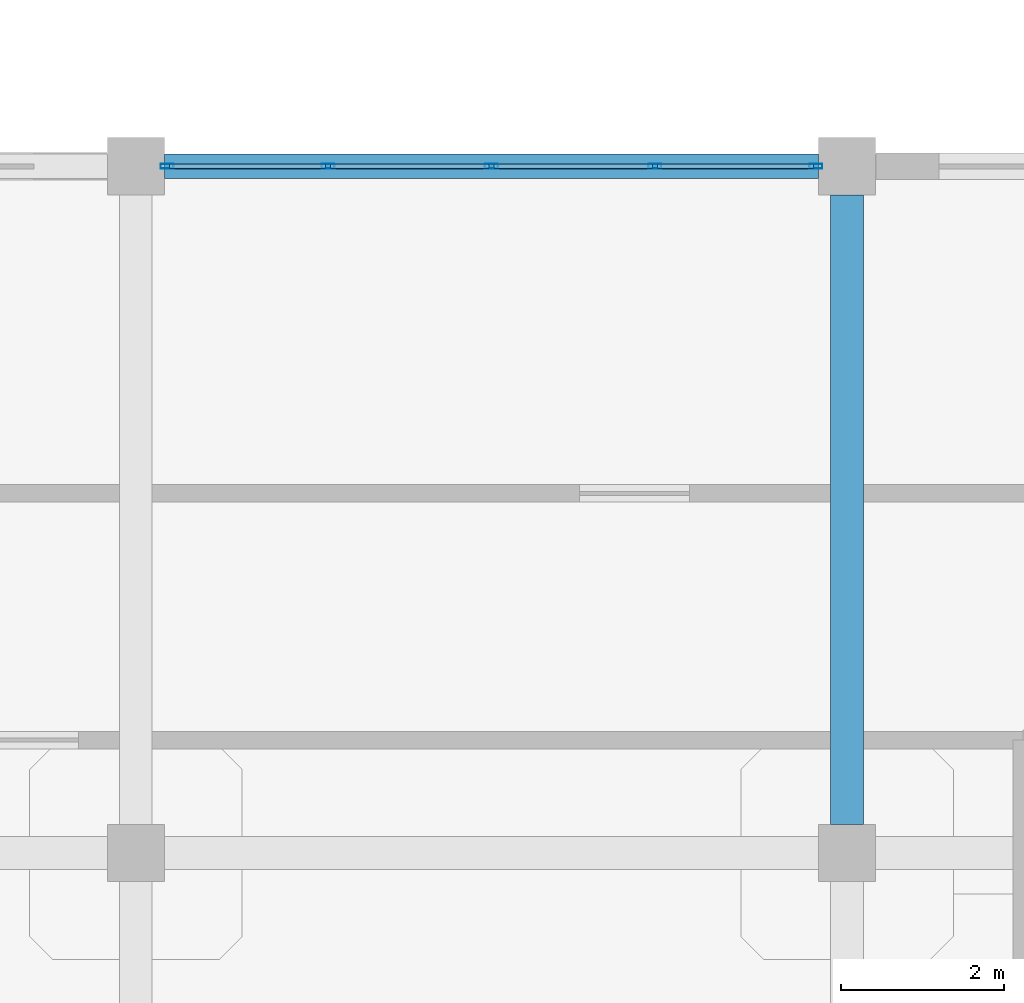
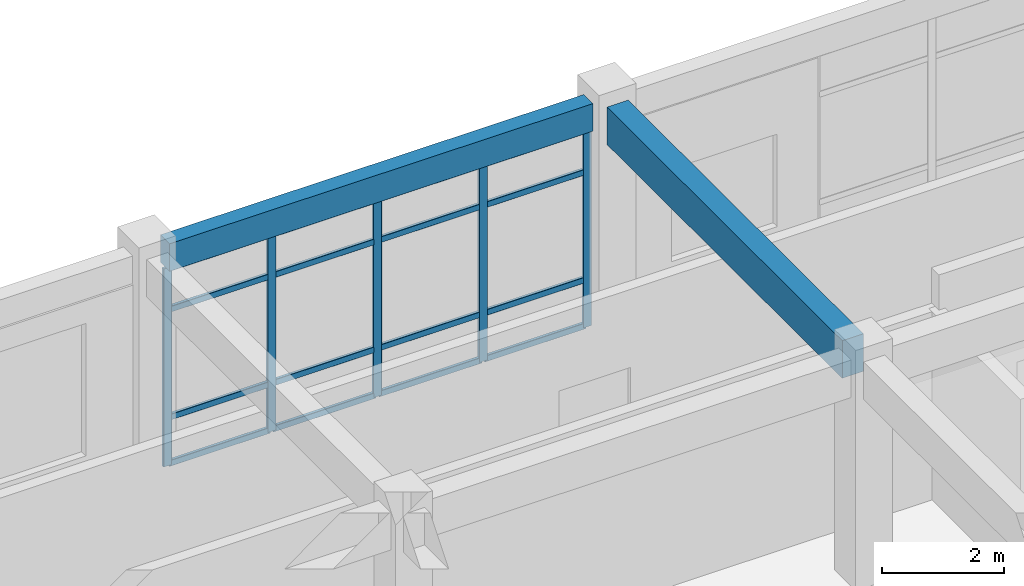
# One storey, part 10 of 76: 21 members, 2 beams, 1 element without a shape of its own.
"""IFC4 building model written with IfcOpenShell, lengths in metres."""

from ifc_helpers import new_model, si_unit, derived_unit, direction, frame, origin, origin_2d, place, context, subcontext, project, spatial, rectangle, hollow_rectangle, extrude, material, layer, layer_set, material_profile, profile_set, type_object, element, aggregate, save


model = new_model("IFC4")

# Units and contexts
model_context = context("Model", 3, precision=1e-05, world=origin(), true_north=direction((0.0, 1.0)))
body_context = subcontext(model_context, "Body", "Model", "MODEL_VIEW")
ifc_project = project(units=[si_unit("LENGTHUNIT", "METRE"), si_unit("AREAUNIT", "SQUARE_METRE"), si_unit("VOLUMEUNIT", "CUBIC_METRE"), si_unit("PLANEANGLEUNIT", "RADIAN"), si_unit("MASSUNIT", "GRAM", prefix="KILO"), derived_unit("THERMALTRANSMITTANCEUNIT", [(si_unit("MASSUNIT", "GRAM", prefix="KILO"), 1), (si_unit("TIMEUNIT", "SECOND"), -3), (si_unit("THERMODYNAMICTEMPERATUREUNIT", "KELVIN"), -1)])], contexts=[model_context])

# Site, building, storey
site_placement = place(None, origin())
site = spatial("IfcSite", under=ifc_project, at=site_placement, CompositionType="ELEMENT")
building_placement = place(site_placement, origin())
building = spatial("IfcBuilding", under=site, at=building_placement, Name="Qinzheling Arcade Emporium", CompositionType="ELEMENT")
storey_placement = place(building_placement, frame((0.0, 0.0, 26.699951171875)))
storey = spatial("IfcBuildingStorey", under=building, at=storey_placement, Name="L06", CompositionType="ELEMENT", Elevation=26.699951171875)

# Curtain wall, members
ifc_material_1 = material(Name="Anodised aluminium and solar-control double glazing", Category="aluminium")
ifc_layer = layer(ifc_material_1, 0.159912109375, Name="Anodised aluminium and solar-control double glazing", Category="aluminium")
ifc_layer_set = layer_set([ifc_layer], Name="Anodised aluminium and solar-control double glazing")
curtain_wall_type = type_object("IfcCurtainWallType", Name="Atrium Clerestory Curtain Wall", PredefinedType="NOTDEFINED", material=ifc_layer_set)
curtain_wall_placement = place(storey_placement, origin())
curtain_wall = element("IfcCurtainWall", 1, at=curtain_wall_placement, inside=storey, type_object=curtain_wall_type, Name="Curtain Wall CW-L06-361", PredefinedType="NOTDEFINED")
ifc_material_2 = material(Name="Anodised aluminium 6063-T6", Category="aluminium")
ifc_material_profile_1 = material_profile(ifc_material_2, hollow_rectangle(XDim=0.06005859375, YDim=0.159912109375, WallThickness=0.00390625, InnerFilletRadius=0.00390625, OuterFilletRadius=0.008056640625, at=origin_2d()), Name="RHS 160x60x4", Category="aluminium")
ifc_profile_set_1 = profile_set([ifc_material_profile_1], Name="Anodised aluminium 6063-T6")
member_type_1 = type_object("IfcMemberType", Name="Curtain Wall Mullion RHS160x60", PredefinedType="MULLION", material=ifc_profile_set_1)
member_1_placement = place(storey_placement, frame((17.781982421875, 42.0, 0.0), z_axis=(0.0, 0.0, 1.0), x_axis=(0.0, 1.0, 0.0)))
member_1 = element("IfcMember", 2, at=member_1_placement, type_object=member_type_1, Name="CW03 mullion 1", PredefinedType="MULLION", context=body_context, shape_type="SweptSolid", body=[
    extrude(hollow_rectangle(XDim=0.06005859375, YDim=0.159912109375, WallThickness=0.00390625, InnerFilletRadius=0.00390625, OuterFilletRadius=0.008056640625, at=origin_2d()), origin(), (0.0, 0.0, 1.0), 3.955078125),
])
member_2_placement = place(storey_placement, frame((19.7509765625, 42.0, 0.0), z_axis=(0.0, 0.0, 1.0), x_axis=(0.0, 1.0, 0.0)))
member_2 = element("IfcMember", 3, at=member_2_placement, type_object=member_type_1, Name="CW03 mullion 2", PredefinedType="MULLION", context=body_context, shape_type="SweptSolid", body=[
    extrude(hollow_rectangle(XDim=0.06005859375, YDim=0.159912109375, WallThickness=0.00390625, InnerFilletRadius=0.00390625, OuterFilletRadius=0.008056640625, at=origin_2d()), origin(), (0.0, 0.0, 1.0), 3.955078125),
])
member_3_placement = place(storey_placement, frame((21.75, 42.0, 0.0), z_axis=(0.0, 0.0, 1.0), x_axis=(0.0, 1.0, 0.0)))
member_3 = element("IfcMember", 4, at=member_3_placement, type_object=member_type_1, Name="CW03 mullion 3", PredefinedType="MULLION", context=body_context, shape_type="SweptSolid", body=[
    extrude(hollow_rectangle(XDim=0.06005859375, YDim=0.159912109375, WallThickness=0.00390625, InnerFilletRadius=0.00390625, OuterFilletRadius=0.008056640625, at=origin_2d()), origin(), (0.0, 0.0, 1.0), 3.955078125),
])
member_4_placement = place(storey_placement, frame((23.7490234375, 42.0, 0.0), z_axis=(0.0, 0.0, 1.0), x_axis=(0.0, 1.0, 0.0)))
member_4 = element("IfcMember", 5, at=member_4_placement, type_object=member_type_1, Name="CW03 mullion 4", PredefinedType="MULLION", context=body_context, shape_type="SweptSolid", body=[
    extrude(hollow_rectangle(XDim=0.06005859375, YDim=0.159912109375, WallThickness=0.00390625, InnerFilletRadius=0.00390625, OuterFilletRadius=0.008056640625, at=origin_2d()), origin(), (0.0, 0.0, 1.0), 3.955078125),
])
member_5_placement = place(storey_placement, frame((25.718017578125, 42.0, 0.0), z_axis=(0.0, 0.0, 1.0), x_axis=(0.0, 1.0, 0.0)))
member_5 = element("IfcMember", 6, at=member_5_placement, type_object=member_type_1, Name="CW03 mullion 5", PredefinedType="MULLION", context=body_context, shape_type="SweptSolid", body=[
    extrude(hollow_rectangle(XDim=0.06005859375, YDim=0.159912109375, WallThickness=0.00390625, InnerFilletRadius=0.00390625, OuterFilletRadius=0.008056640625, at=origin_2d()), origin(), (0.0, 0.0, 1.0), 3.955078125),
])
ifc_material_profile_2 = material_profile(ifc_material_2, hollow_rectangle(XDim=0.06005859375, YDim=0.1201171875, WallThickness=0.00390625, InnerFilletRadius=0.00390625, OuterFilletRadius=0.008056640625, at=origin_2d()), Name="RHS 120x60x4", Category="aluminium")
ifc_profile_set_2 = profile_set([ifc_material_profile_2], Name="Anodised aluminium 6063-T6")
member_type_2 = type_object("IfcMemberType", Name="Curtain Wall Transom RHS120x60", PredefinedType="USERDEFINED", material=ifc_profile_set_2)
member_6_placement = place(storey_placement, frame((17.81201171875, 42.0, 0.030029296875), z_axis=(1.0, 0.0, 0.0), x_axis=(0.0, 1.0, 0.0)))
member_6 = element("IfcMember", 7, at=member_6_placement, type_object=member_type_2, Name="CW03 transom 1.1", ObjectType="TRANSOM", PredefinedType="USERDEFINED", context=body_context, shape_type="SweptSolid", body=[
    extrude(hollow_rectangle(XDim=0.06005859375, YDim=0.1201171875, WallThickness=0.00390625, InnerFilletRadius=0.00390625, OuterFilletRadius=0.008056640625, at=origin_2d()), origin(), (0.0, 0.0, 1.0), 1.908935546875),
])
member_7_placement = place(storey_placement, frame((17.81201171875, 42.0, 0.949951171875), z_axis=(1.0, 0.0, 0.0), x_axis=(0.0, 1.0, 0.0)))
member_7 = element("IfcMember", 8, at=member_7_placement, type_object=member_type_2, Name="CW03 transom 1.2", ObjectType="TRANSOM", PredefinedType="USERDEFINED", context=body_context, shape_type="SweptSolid", body=[
    extrude(hollow_rectangle(XDim=0.06005859375, YDim=0.1201171875, WallThickness=0.00390625, InnerFilletRadius=0.00390625, OuterFilletRadius=0.008056640625, at=origin_2d()), origin(), (0.0, 0.0, 1.0), 1.908935546875),
])
member_8_placement = place(storey_placement, frame((17.81201171875, 42.0, 3.10498046875), z_axis=(1.0, 0.0, 0.0), x_axis=(0.0, 1.0, 0.0)))
member_8 = element("IfcMember", 9, at=member_8_placement, type_object=member_type_2, Name="CW03 transom 1.3", ObjectType="TRANSOM", PredefinedType="USERDEFINED", context=body_context, shape_type="SweptSolid", body=[
    extrude(hollow_rectangle(XDim=0.06005859375, YDim=0.1201171875, WallThickness=0.00390625, InnerFilletRadius=0.00390625, OuterFilletRadius=0.008056640625, at=origin_2d()), origin(), (0.0, 0.0, 1.0), 1.908935546875),
])
member_9_placement = place(storey_placement, frame((17.81201171875, 42.0, 3.925048828125), z_axis=(1.0, 0.0, 0.0), x_axis=(0.0, 1.0, 0.0)))
member_9 = element("IfcMember", 10, at=member_9_placement, type_object=member_type_2, Name="CW03 transom 1.4", ObjectType="TRANSOM", PredefinedType="USERDEFINED", context=body_context, shape_type="SweptSolid", body=[
    extrude(hollow_rectangle(XDim=0.06005859375, YDim=0.1201171875, WallThickness=0.00390625, InnerFilletRadius=0.00390625, OuterFilletRadius=0.008056640625, at=origin_2d()), origin(), (0.0, 0.0, 1.0), 1.908935546875),
])
member_10_placement = place(storey_placement, frame((19.781005859375, 42.0, 0.030029296875), z_axis=(1.0, 0.0, 0.0), x_axis=(0.0, 1.0, 0.0)))
member_10 = element("IfcMember", 11, at=member_10_placement, type_object=member_type_2, Name="CW03 transom 2.1", ObjectType="TRANSOM", PredefinedType="USERDEFINED", context=body_context, shape_type="SweptSolid", body=[
    extrude(hollow_rectangle(XDim=0.06005859375, YDim=0.1201171875, WallThickness=0.00390625, InnerFilletRadius=0.00390625, OuterFilletRadius=0.008056640625, at=origin_2d()), origin(), (0.0, 0.0, 1.0), 1.93896484375),
])
member_11_placement = place(storey_placement, frame((19.781005859375, 42.0, 0.949951171875), z_axis=(1.0, 0.0, 0.0), x_axis=(0.0, 1.0, 0.0)))
member_11 = element("IfcMember", 12, at=member_11_placement, type_object=member_type_2, Name="CW03 transom 2.2", ObjectType="TRANSOM", PredefinedType="USERDEFINED", context=body_context, shape_type="SweptSolid", body=[
    extrude(hollow_rectangle(XDim=0.06005859375, YDim=0.1201171875, WallThickness=0.00390625, InnerFilletRadius=0.00390625, OuterFilletRadius=0.008056640625, at=origin_2d()), origin(), (0.0, 0.0, 1.0), 1.93896484375),
])
member_12_placement = place(storey_placement, frame((19.781005859375, 42.0, 3.10498046875), z_axis=(1.0, 0.0, 0.0), x_axis=(0.0, 1.0, 0.0)))
member_12 = element("IfcMember", 13, at=member_12_placement, type_object=member_type_2, Name="CW03 transom 2.3", ObjectType="TRANSOM", PredefinedType="USERDEFINED", context=body_context, shape_type="SweptSolid", body=[
    extrude(hollow_rectangle(XDim=0.06005859375, YDim=0.1201171875, WallThickness=0.00390625, InnerFilletRadius=0.00390625, OuterFilletRadius=0.008056640625, at=origin_2d()), origin(), (0.0, 0.0, 1.0), 1.93896484375),
])
member_13_placement = place(storey_placement, frame((19.781005859375, 42.0, 3.925048828125), z_axis=(1.0, 0.0, 0.0), x_axis=(0.0, 1.0, 0.0)))
member_13 = element("IfcMember", 14, at=member_13_placement, type_object=member_type_2, Name="CW03 transom 2.4", ObjectType="TRANSOM", PredefinedType="USERDEFINED", context=body_context, shape_type="SweptSolid", body=[
    extrude(hollow_rectangle(XDim=0.06005859375, YDim=0.1201171875, WallThickness=0.00390625, InnerFilletRadius=0.00390625, OuterFilletRadius=0.008056640625, at=origin_2d()), origin(), (0.0, 0.0, 1.0), 1.93896484375),
])
member_14_placement = place(storey_placement, frame((21.780029296875, 42.0, 0.030029296875), z_axis=(1.0, 0.0, 0.0), x_axis=(0.0, 1.0, 0.0)))
member_14 = element("IfcMember", 15, at=member_14_placement, type_object=member_type_2, Name="CW03 transom 3.1", ObjectType="TRANSOM", PredefinedType="USERDEFINED", context=body_context, shape_type="SweptSolid", body=[
    extrude(hollow_rectangle(XDim=0.06005859375, YDim=0.1201171875, WallThickness=0.00390625, InnerFilletRadius=0.00390625, OuterFilletRadius=0.008056640625, at=origin_2d()), origin(), (0.0, 0.0, 1.0), 1.93896484375),
])
member_15_placement = place(storey_placement, frame((21.780029296875, 42.0, 0.949951171875), z_axis=(1.0, 0.0, 0.0), x_axis=(0.0, 1.0, 0.0)))
member_15 = element("IfcMember", 16, at=member_15_placement, type_object=member_type_2, Name="CW03 transom 3.2", ObjectType="TRANSOM", PredefinedType="USERDEFINED", context=body_context, shape_type="SweptSolid", body=[
    extrude(hollow_rectangle(XDim=0.06005859375, YDim=0.1201171875, WallThickness=0.00390625, InnerFilletRadius=0.00390625, OuterFilletRadius=0.008056640625, at=origin_2d()), origin(), (0.0, 0.0, 1.0), 1.93896484375),
])
member_16_placement = place(storey_placement, frame((21.780029296875, 42.0, 3.10498046875), z_axis=(1.0, 0.0, 0.0), x_axis=(0.0, 1.0, 0.0)))
member_16 = element("IfcMember", 17, at=member_16_placement, type_object=member_type_2, Name="CW03 transom 3.3", ObjectType="TRANSOM", PredefinedType="USERDEFINED", context=body_context, shape_type="SweptSolid", body=[
    extrude(hollow_rectangle(XDim=0.06005859375, YDim=0.1201171875, WallThickness=0.00390625, InnerFilletRadius=0.00390625, OuterFilletRadius=0.008056640625, at=origin_2d()), origin(), (0.0, 0.0, 1.0), 1.93896484375),
])
member_17_placement = place(storey_placement, frame((21.780029296875, 42.0, 3.925048828125), z_axis=(1.0, 0.0, 0.0), x_axis=(0.0, 1.0, 0.0)))
member_17 = element("IfcMember", 18, at=member_17_placement, type_object=member_type_2, Name="CW03 transom 3.4", ObjectType="TRANSOM", PredefinedType="USERDEFINED", context=body_context, shape_type="SweptSolid", body=[
    extrude(hollow_rectangle(XDim=0.06005859375, YDim=0.1201171875, WallThickness=0.00390625, InnerFilletRadius=0.00390625, OuterFilletRadius=0.008056640625, at=origin_2d()), origin(), (0.0, 0.0, 1.0), 1.93896484375),
])
member_18_placement = place(storey_placement, frame((23.779052734375, 42.0, 0.030029296875), z_axis=(1.0, 0.0, 0.0), x_axis=(0.0, 1.0, 0.0)))
member_18 = element("IfcMember", 19, at=member_18_placement, type_object=member_type_2, Name="CW03 transom 4.1", ObjectType="TRANSOM", PredefinedType="USERDEFINED", context=body_context, shape_type="SweptSolid", body=[
    extrude(hollow_rectangle(XDim=0.06005859375, YDim=0.1201171875, WallThickness=0.00390625, InnerFilletRadius=0.00390625, OuterFilletRadius=0.008056640625, at=origin_2d()), origin(), (0.0, 0.0, 1.0), 1.908935546875),
])
member_19_placement = place(storey_placement, frame((23.779052734375, 42.0, 0.949951171875), z_axis=(1.0, 0.0, 0.0), x_axis=(0.0, 1.0, 0.0)))
member_19 = element("IfcMember", 20, at=member_19_placement, type_object=member_type_2, Name="CW03 transom 4.2", ObjectType="TRANSOM", PredefinedType="USERDEFINED", context=body_context, shape_type="SweptSolid", body=[
    extrude(hollow_rectangle(XDim=0.06005859375, YDim=0.1201171875, WallThickness=0.00390625, InnerFilletRadius=0.00390625, OuterFilletRadius=0.008056640625, at=origin_2d()), origin(), (0.0, 0.0, 1.0), 1.908935546875),
])
member_20_placement = place(storey_placement, frame((23.779052734375, 42.0, 3.10498046875), z_axis=(1.0, 0.0, 0.0), x_axis=(0.0, 1.0, 0.0)))
member_20 = element("IfcMember", 21, at=member_20_placement, type_object=member_type_2, Name="CW03 transom 4.3", ObjectType="TRANSOM", PredefinedType="USERDEFINED", context=body_context, shape_type="SweptSolid", body=[
    extrude(hollow_rectangle(XDim=0.06005859375, YDim=0.1201171875, WallThickness=0.00390625, InnerFilletRadius=0.00390625, OuterFilletRadius=0.008056640625, at=origin_2d()), origin(), (0.0, 0.0, 1.0), 1.908935546875),
])
member_21_placement = place(storey_placement, frame((23.779052734375, 42.0, 3.925048828125), z_axis=(1.0, 0.0, 0.0), x_axis=(0.0, 1.0, 0.0)))
member_21 = element("IfcMember", 22, at=member_21_placement, type_object=member_type_2, Name="CW03 transom 4.4", ObjectType="TRANSOM", PredefinedType="USERDEFINED", context=body_context, shape_type="SweptSolid", body=[
    extrude(hollow_rectangle(XDim=0.06005859375, YDim=0.1201171875, WallThickness=0.00390625, InnerFilletRadius=0.00390625, OuterFilletRadius=0.008056640625, at=origin_2d()), origin(), (0.0, 0.0, 1.0), 1.908935546875),
])
aggregate(curtain_wall, [member_1, member_2, member_3, member_4, member_5, member_6, member_7, member_8, member_9, member_10, member_11, member_12, member_13, member_14, member_15, member_16, member_17, member_18, member_19, member_20, member_21])

# Beams
ifc_material_3 = material(Name="Concrete C40", Category="concrete")
ifc_material_profile_3 = material_profile(ifc_material_3, rectangle(XDim=0.39990234375, YDim=0.75, at=origin_2d()), Name="RC 400x750", Category="concrete")
ifc_profile_set_3 = profile_set([ifc_material_profile_3], Name="Concrete C40")
beam_type_1 = type_object("IfcBeamType", Name="RC Interior Tie Beam 400x750 C40", PredefinedType="BEAM", material=ifc_profile_set_3)
beam_1_placement = place(storey_placement, frame((26.10009765625, 33.949951171875, 4.14501953125), z_axis=(0.0, 1.0, 0.0), x_axis=(-1.0, 0.0, 0.0)))
element("IfcBeam", 23, at=beam_1_placement, inside=storey, type_object=beam_type_1, Name="Beam BM-L06-Y-4-E", PredefinedType="BEAM", context=body_context, shape_type="SweptSolid", body=[
    extrude(rectangle(XDim=0.39990234375, YDim=0.75, at=origin_2d()), origin(), (0.0, 0.0, 1.0), 7.699951171875),
])
ifc_material_profile_4 = material_profile(ifc_material_3, rectangle(XDim=0.300048828125, YDim=0.550048828125, at=origin_2d()), Name="RC 300x550", Category="concrete")
ifc_profile_set_4 = profile_set([ifc_material_profile_4], Name="Concrete C40")
beam_type_2 = type_object("IfcBeamType", Name="RC Terrace Spandrel Beam 300x550 C40", PredefinedType="SPANDREL", material=ifc_profile_set_4)
beam_2_placement = place(storey_placement, frame((17.75, 42.0, 4.2451171875), z_axis=(1.0, 0.0, 0.0), x_axis=(0.0, 1.0, 0.0)))
element("IfcBeam", 24, at=beam_2_placement, inside=storey, type_object=beam_type_2, Name="Beam BM-L06-X-F-3", PredefinedType="SPANDREL", context=body_context, shape_type="SweptSolid", body=[
    extrude(rectangle(XDim=0.300048828125, YDim=0.550048828125, at=origin_2d()), origin(), (0.0, 0.0, 1.0), 8.0),
])

save(model, "model.ifc")
